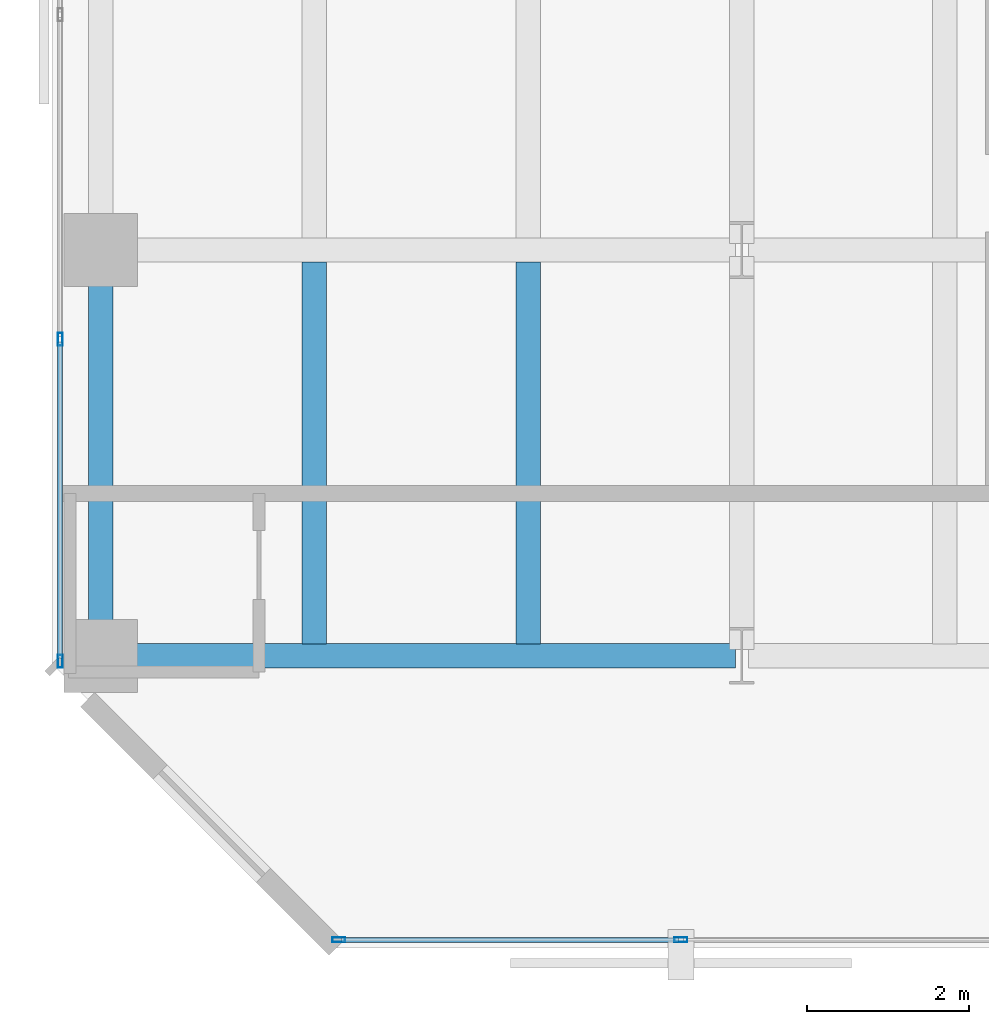
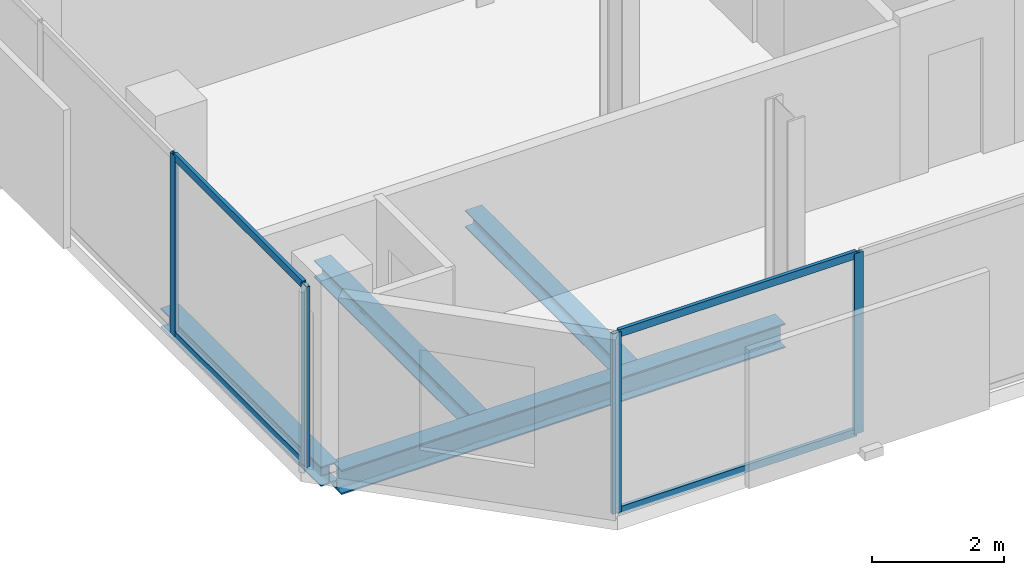
# One storey, part 3 of 34: 8 members, 4 beams, 2 elements without a shape of their own.
"""IFC4 building model written with IfcOpenShell, lengths in metres."""

from ifc_helpers import new_model, si_unit, direction, frame, origin, origin_2d, place, context, subcontext, project, spatial, hollow_rectangle, i_section, extrude, material, layer, layer_set, material_profile, profile_set, type_object, element, aggregate, save


model = new_model("IFC4")

# Units and contexts
model_context = context("Model", 3, precision=1e-05, world=origin(), true_north=direction((0.0, 1.0)))
body_context = subcontext(model_context, "Body", "Model", "MODEL_VIEW")
ifc_project = project(units=[si_unit("LENGTHUNIT", "METRE"), si_unit("AREAUNIT", "SQUARE_METRE"), si_unit("VOLUMEUNIT", "CUBIC_METRE"), si_unit("PLANEANGLEUNIT", "RADIAN"), si_unit("MASSUNIT", "GRAM", prefix="KILO")], contexts=[model_context])

# Site, building, storey
site_placement = place(None, origin())
site = spatial("IfcSite", under=ifc_project, at=site_placement, CompositionType="ELEMENT")
building_placement = place(site_placement, origin())
building = spatial("IfcBuilding", under=site, at=building_placement, Name="Catumbela Crestline Tower", CompositionType="ELEMENT")
storey_placement = place(building_placement, frame((0.0, 0.0, 115.2)))
storey = spatial("IfcBuildingStorey", under=building, at=storey_placement, Name="L29", CompositionType="ELEMENT", Elevation=115.2)

# Beams
ifc_material_1 = material(Name="Structural steel S355J2", Category="steel")
ifc_material_profile_1 = material_profile(ifc_material_1, i_section(OverallWidth=0.3, OverallDepth=0.45, WebThickness=0.014, FlangeThickness=0.026, FilletRadius=0.027, at=origin_2d()), Name="HEB 450")
ifc_profile_set_1 = profile_set([ifc_material_profile_1], Name="Structural steel S355J2")
beam_type_1 = type_object("IfcBeamType", Name="BG-HEB450", PredefinedType="BEAM", material=ifc_profile_set_1)
beam_1_placement = place(storey_placement, frame((0.68, 8.6, -0.485), z_axis=(1.0, 0.0, 0.0), x_axis=(0.0, 1.0, 0.0)))
element("IfcBeam", 1, at=beam_1_placement, inside=storey, type_object=beam_type_1, Name="L29 Beam BM-L29-WEW43", PredefinedType="BEAM", context=body_context, shape_type="SweptSolid", body=[
    extrude(i_section(OverallWidth=0.3, OverallDepth=0.45, WebThickness=0.014, FlangeThickness=0.026, FilletRadius=0.027, at=origin_2d()), origin(), (0.0, 0.0, 1.0), 7.74),
])
ifc_material_profile_2 = material_profile(ifc_material_1, i_section(OverallWidth=0.3, OverallDepth=0.31, WebThickness=0.009, FlangeThickness=0.0155, FilletRadius=0.027, at=origin_2d()), Name="HEA 320")
ifc_profile_set_2 = profile_set([ifc_material_profile_2], Name="Structural steel S355J2")
beam_type_2 = type_object("IfcBeamType", Name="BJ-HEA320", PredefinedType="JOIST", material=ifc_profile_set_2)
for number, where, z_axis, x_axis, name in (
    (2, (3.233, 8.747, -0.415), (0.0, 1.0, 0.0), (-1.0, 0.0, 0.0), "L29 Joist JS-L29-WG63"),
    (3, (5.867, 8.747, -0.415), (0.0, 1.0, 0.0), (-1.0, 0.0, 0.0), "L29 Joist JS-L29-WG64"),
):
    element("IfcBeam", number, at=place(storey_placement, frame(where, z_axis=z_axis, x_axis=x_axis)), inside=storey, type_object=beam_type_2, Name=name, PredefinedType="JOIST", context=body_context, shape_type="SweptSolid", body=[
        extrude(i_section(OverallWidth=0.3, OverallDepth=0.31, WebThickness=0.009, FlangeThickness=0.0155, FilletRadius=0.027, at=origin_2d()), origin(), (0.0, 0.0, 1.0), 4.706),
    ])

# Curtain wall, members
ifc_material_2 = material(Name="Aluminium alloy AW-6060-T66", Category="aluminium")
ifc_layer = layer(ifc_material_2, 0.18, Name="Aluminium alloy AW-6060-T66")
ifc_layer_set = layer_set([ifc_layer], Name="Aluminium alloy AW-6060-T66")
curtain_wall_type = type_object("IfcCurtainWallType", Name="CWU-Z2", PredefinedType="USERDEFINED", material=ifc_layer_set)
curtain_wall_1_placement = place(storey_placement, origin())
curtain_wall_1 = element("IfcCurtainWall", 4, at=curtain_wall_1_placement, inside=storey, type_object=curtain_wall_type, Name="L29 Unitised Curtain Wall CW-L29-E0S1", ObjectType="UNITISED", PredefinedType="USERDEFINED")
ifc_material_profile_3 = material_profile(ifc_material_2, hollow_rectangle(XDim=0.06, YDim=0.16, WallThickness=0.004, at=origin_2d()), Name="ALU 160x60x4")
ifc_profile_set_3 = profile_set([ifc_material_profile_3], Name="Aluminium alloy AW-6060-T66")
member_type_1 = type_object("IfcMemberType", Name="MUL-160X60", PredefinedType="MULLION", material=ifc_profile_set_3)
member_1_placement = place(storey_placement, frame((3.5325, 5.1, 0.0), z_axis=(0.0, 0.0, 1.0), x_axis=(0.0, 1.0, 0.0)))
member_1 = element("IfcMember", 5, at=member_1_placement, type_object=member_type_1, Name="CWU-Z2 mullion 1", PredefinedType="MULLION", context=body_context, shape_type="SweptSolid", body=[
    extrude(hollow_rectangle(XDim=0.06, YDim=0.16, WallThickness=0.004, at=origin_2d()), origin(), (0.0, 0.0, 1.0), 3.33),
])
member_2_placement = place(storey_placement, frame((7.75, 5.1, 0.0), z_axis=(0.0, 0.0, 1.0), x_axis=(0.0, 1.0, 0.0)))
member_2 = element("IfcMember", 6, at=member_2_placement, type_object=member_type_1, Name="CWU-Z2 mullion 2", PredefinedType="MULLION", context=body_context, shape_type="SweptSolid", body=[
    extrude(hollow_rectangle(XDim=0.06, YDim=0.16, WallThickness=0.004, at=origin_2d()), origin(), (0.0, 0.0, 1.0), 3.33),
])

curtain_wall_2_placement = place(storey_placement, origin())
curtain_wall_2 = element("IfcCurtainWall", 7, at=curtain_wall_2_placement, inside=storey, type_object=curtain_wall_type, Name="L29 Unitised Curtain Wall CW-L29-E9S1", ObjectType="UNITISED", PredefinedType="USERDEFINED")
member_3_placement = place(storey_placement, frame((0.1, 12.5, 0.0), z_axis=(0.0, 0.0, 1.0), x_axis=(1.0, 0.0, 0.0)))
member_3 = element("IfcMember", 8, at=member_3_placement, type_object=member_type_1, Name="CWU-Z2 mullion 9", PredefinedType="MULLION", context=body_context, shape_type="SweptSolid", body=[
    extrude(hollow_rectangle(XDim=0.06, YDim=0.16, WallThickness=0.004, at=origin_2d()), origin(), (0.0, 0.0, 1.0), 3.33),
])
member_4_placement = place(storey_placement, frame((0.1, 8.5325, 0.0), z_axis=(0.0, 0.0, 1.0), x_axis=(1.0, 0.0, 0.0)))
member_4 = element("IfcMember", 9, at=member_4_placement, type_object=member_type_1, Name="CWU-Z2 mullion 10", PredefinedType="MULLION", context=body_context, shape_type="SweptSolid", body=[
    extrude(hollow_rectangle(XDim=0.06, YDim=0.16, WallThickness=0.004, at=origin_2d()), origin(), (0.0, 0.0, 1.0), 3.33),
])

# Beam
ifc_material_profile_4 = material_profile(ifc_material_1, i_section(OverallWidth=0.3, OverallDepth=0.36, WebThickness=0.0125, FlangeThickness=0.0225, FilletRadius=0.027, at=origin_2d()), Name="HEB 360")
ifc_profile_set_4 = profile_set([ifc_material_profile_4], Name="Structural steel S355J2")
beam_type_3 = type_object("IfcBeamType", Name="BS-HEB360", PredefinedType="SPANDREL", material=ifc_profile_set_4)
beam_2_placement = place(storey_placement, frame((0.6, 8.68, -0.44), z_axis=(0.0, 1.0, 0.0), x_axis=(-1.0, 0.0, 0.0)))
element("IfcBeam", 10, at=beam_2_placement, inside=storey, type_object=beam_type_3, Name="L29 Spandrel SP-L29-WNS52", PredefinedType="SPANDREL", context=body_context, shape_type="SweptSolid", body=[
    extrude(i_section(OverallWidth=0.3, OverallDepth=0.36, WebThickness=0.0125, FlangeThickness=0.0225, FilletRadius=0.027, at=origin_2d()), origin(), (0.0, 0.0, 1.0), 4.84),
])

# Member
ifc_material_profile_5 = material_profile(ifc_material_2, hollow_rectangle(XDim=0.06, YDim=0.14, WallThickness=0.004, at=origin_2d()), Name="ALU 140x60x4")
ifc_profile_set_5 = profile_set([ifc_material_profile_5], Name="Aluminium alloy AW-6060-T66")
member_type_2 = type_object("IfcMemberType", Name="TRN-140X60", PredefinedType="USERDEFINED", material=ifc_profile_set_5)
member_5_placement = place(storey_placement, frame((3.565, 5.1, 0.03), z_axis=(1.0, 0.0, 0.0), x_axis=(0.0, 1.0, 0.0)))
member_5 = element("IfcMember", 11, at=member_5_placement, type_object=member_type_2, Name="CWU-Z2 transom 1.1", ObjectType="TRANSOM", PredefinedType="USERDEFINED", context=body_context, shape_type="SweptSolid", body=[
    extrude(hollow_rectangle(XDim=0.06, YDim=0.14, WallThickness=0.004, at=origin_2d()), origin(), (0.0, 0.0, 1.0), 4.1525),
])

member_6_placement = place(storey_placement, frame((3.565, 5.1, 3.3), z_axis=(1.0, 0.0, 0.0), x_axis=(0.0, 1.0, 0.0)))
member_6 = element("IfcMember", 12, at=member_6_placement, type_object=member_type_2, Name="CWU-Z2 transom 1.2", ObjectType="TRANSOM", PredefinedType="USERDEFINED", context=body_context, shape_type="SweptSolid", body=[
    extrude(hollow_rectangle(XDim=0.06, YDim=0.14, WallThickness=0.004, at=origin_2d()), origin(), (0.0, 0.0, 1.0), 4.1525),
])

aggregate(curtain_wall_1, [member_1, member_2, member_5, member_6])

member_7_placement = place(storey_placement, frame((0.1, 12.4675, 0.03), z_axis=(0.0, -1.0, 0.0), x_axis=(1.0, 0.0, 0.0)))
member_7 = element("IfcMember", 13, at=member_7_placement, type_object=member_type_2, Name="CWU-Z2 transom 9.1", ObjectType="TRANSOM", PredefinedType="USERDEFINED", context=body_context, shape_type="SweptSolid", body=[
    extrude(hollow_rectangle(XDim=0.06, YDim=0.14, WallThickness=0.004, at=origin_2d()), origin(), (0.0, 0.0, 1.0), 3.9025),
])

member_8_placement = place(storey_placement, frame((0.1, 12.4675, 3.3), z_axis=(0.0, -1.0, 0.0), x_axis=(1.0, 0.0, 0.0)))
member_8 = element("IfcMember", 14, at=member_8_placement, type_object=member_type_2, Name="CWU-Z2 transom 9.2", ObjectType="TRANSOM", PredefinedType="USERDEFINED", context=body_context, shape_type="SweptSolid", body=[
    extrude(hollow_rectangle(XDim=0.06, YDim=0.14, WallThickness=0.004, at=origin_2d()), origin(), (0.0, 0.0, 1.0), 3.9025),
])

aggregate(curtain_wall_2, [member_3, member_4, member_7, member_8])

save(model, "model.ifc")
